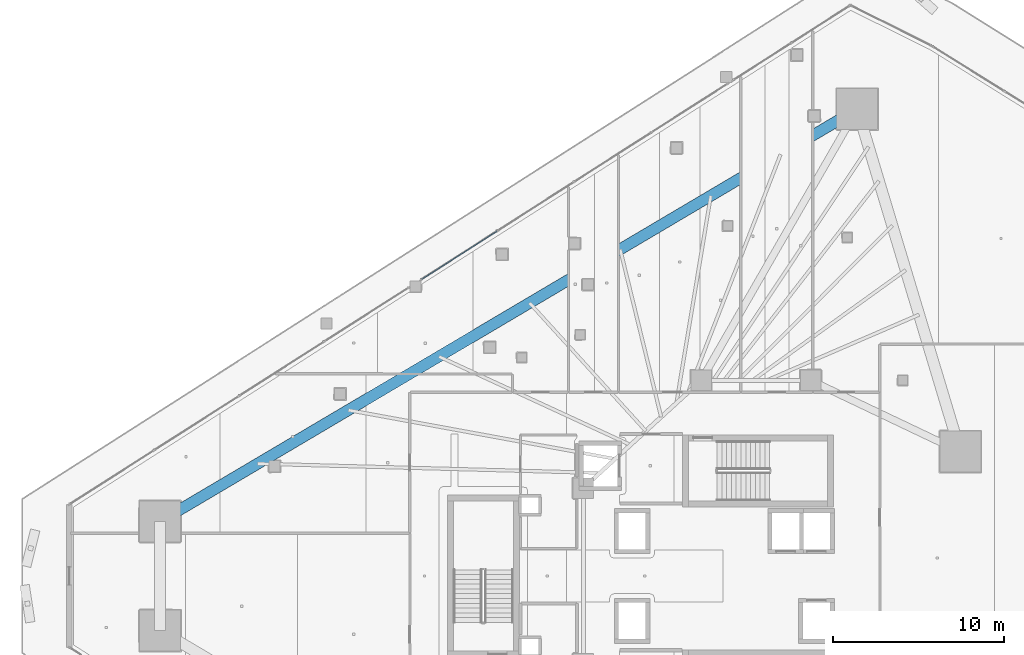
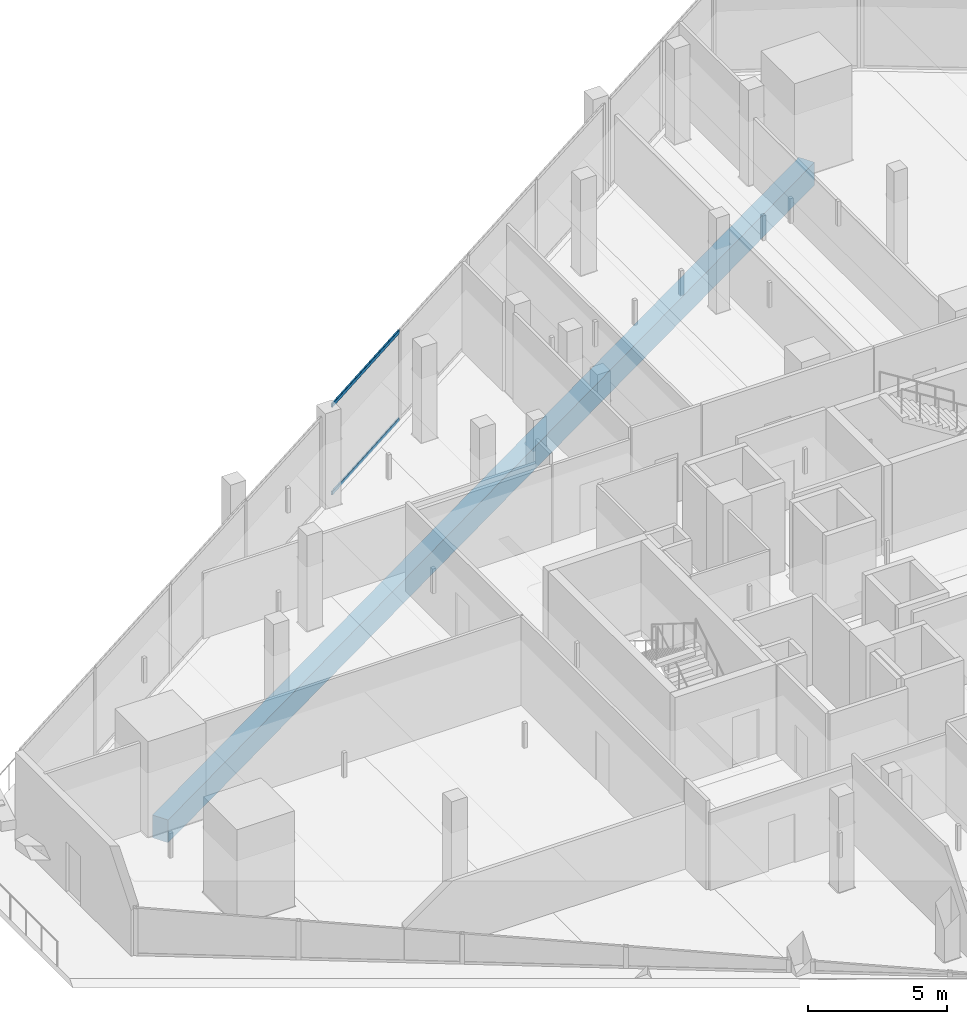
# One storey, part 17 of 44: 2 members, 1 beam, 1 element without a shape of its own.
"""IFC4 building model written with IfcOpenShell, lengths in metres."""

import ifcopenshell
import ifcopenshell.guid

model = None  # the IFC model being written
_history = None  # IfcOwnerHistory: only IFC2X3 demands one
_inside = {}  # id of a spatial element -> (the spatial element, [elements in it])
_under = {}  # id of a project, library or spatial element -> (it, [spatial elements below it])
_declared = {}  # id of a project -> (the project, [libraries it declares])
_typed = {}  # id of a type object -> (the type object, [elements of that type])
_made_of = {}  # id of a material, layer set ... -> (it, [elements and type objects made of it])


def new_model(schema):
    """Start an empty IFC model of exactly this schema.

    Asked for "IFC4X3", IfcOpenShell would pick the latest addendum, in which some entities
    have other attributes; the version numbers below select the first issue.
    IFC2X3 requires an IfcOwnerHistory on every rooted entity: one is made here for all.
    """
    global model, _history
    if schema == "IFC4X3":
        model = ifcopenshell.file(schema_version=(4, 3, 0, 0))
    else:
        model = ifcopenshell.file(schema=schema)
    _inside.clear()
    _under.clear()
    _declared.clear()
    _typed.clear()
    _made_of.clear()
    _history = None
    if model.schema == "IFC2X3":
        org = make("IfcOrganization", Name="unknown")
        user = make(
            "IfcPersonAndOrganization",
            ThePerson=make("IfcPerson", FamilyName="unknown"),
            TheOrganization=org,
        )
        app = make(
            "IfcApplication",
            ApplicationDeveloper=org,
            Version="unknown",
            ApplicationFullName="unknown",
            ApplicationIdentifier="unknown",
        )
        _history = make(
            "IfcOwnerHistory",
            OwningUser=user,
            OwningApplication=app,
            ChangeAction="ADDED",
            CreationDate=0,
        )
    return model


def make(cls, **values):
    """One entity of the class cls with the attributes given. An attribute that is None is left unset."""
    return model.create_entity(
        cls, **{name: value for name, value in values.items() if value is not None}
    )


def rooted(cls, **values):
    """An entity with a GlobalId (a new one), such as an element, a storey or a relation."""
    return make(cls, GlobalId=ifcopenshell.guid.new(), OwnerHistory=_history, **values)


def si_unit(unit_type, name, prefix=None):
    """IfcSIUnit, for example si_unit("LENGTHUNIT", "METRE", prefix="MILLI")."""
    return make("IfcSIUnit", UnitType=unit_type, Prefix=prefix, Name=name)


def assignment(units):
    """IfcUnitAssignment: the units of a project."""
    return None if units is None else make("IfcUnitAssignment", Units=units)


def point(xyz):
    """IfcCartesianPoint."""
    return None if xyz is None else make("IfcCartesianPoint", Coordinates=xyz)


def direction(xyz):
    """IfcDirection."""
    return None if xyz is None else make("IfcDirection", DirectionRatios=xyz)


def frame(location, z_axis=None, x_axis=None):
    """IfcAxis2Placement3D, a coordinate frame: its origin and axes. An axis left out is left unset."""
    return make(
        "IfcAxis2Placement3D",
        Location=point(location),
        Axis=direction(z_axis),
        RefDirection=direction(x_axis),
    )


def frame_2d(location, x_axis=None):
    """IfcAxis2Placement2D, a coordinate frame in the plane: its origin and x axis."""
    return make(
        "IfcAxis2Placement2D", Location=point(location), RefDirection=direction(x_axis)
    )


def origin():
    """The frame at (0, 0, 0) with its axes left unset."""
    return frame((0.0, 0.0, 0.0))


def origin_2d():
    """The frame at (0, 0) in the plane with its x axis left unset."""
    return frame_2d((0.0, 0.0))


def place(relative_to, where):
    """IfcLocalPlacement: puts the frame where relative to a parent placement (None: the world)."""
    return make(
        "IfcLocalPlacement", PlacementRelTo=relative_to, RelativePlacement=where
    )


def context(
    kind, dimensions, precision=None, world=None, true_north=None, identifier=None
):
    """IfcGeometricRepresentationContext, for example the 3D "Model" context."""
    return make(
        "IfcGeometricRepresentationContext",
        ContextIdentifier=identifier,
        ContextType=kind,
        CoordinateSpaceDimension=dimensions,
        Precision=precision,
        WorldCoordinateSystem=world,
        TrueNorth=true_north,
    )


def subcontext(parent, identifier, kind, view, scale=None):
    """IfcGeometricRepresentationSubContext, for example "Body" below "Model"."""
    return make(
        "IfcGeometricRepresentationSubContext",
        ContextIdentifier=identifier,
        ContextType=kind,
        ParentContext=parent,
        TargetScale=scale,
        TargetView=view,
    )


def project(units=None, contexts=None):
    """IfcProject with its units and contexts."""
    return rooted(
        "IfcProject",
        Name="project",
        RepresentationContexts=contexts,
        UnitsInContext=assignment(units),
    )


def spatial(cls, under=None, at=None, **own):
    """A site, building, storey or space (cls), placed at a placement, below another one or the project."""
    s = rooted(cls, ObjectPlacement=at, **own)
    if under is not None:
        _under.setdefault(under.id(), (under, []))[1].append(s)
    return s


def profile(cls, at=None, kind="AREA", **sizes):
    """A parametric profile (cls). Its sizes go by their IFC names, for example OverallWidth=200.0."""
    return make(cls, ProfileType=kind, Position=at, **sizes)


def rectangle(**sizes):
    """IfcRectangleProfileDef."""
    return profile("IfcRectangleProfileDef", **sizes)


def hollow_rectangle(**sizes):
    """IfcRectangleHollowProfileDef."""
    return profile("IfcRectangleHollowProfileDef", **sizes)


def extrude(swept, where, along, depth):
    """IfcExtrudedAreaSolid: the profile swept, set in the frame where, extruded along a direction by depth."""
    return make(
        "IfcExtrudedAreaSolid",
        SweptArea=swept,
        Position=where,
        ExtrudedDirection=direction(along),
        Depth=depth,
    )


def shape(context_of_items, identifier, shape_type, items):
    """IfcShapeRepresentation: the items that make up one representation, for example the "Body"."""
    return make(
        "IfcShapeRepresentation",
        ContextOfItems=context_of_items,
        RepresentationIdentifier=identifier,
        RepresentationType=shape_type,
        Items=items,
    )


def material(Name=None, Category=None):
    """IfcMaterial."""
    return make("IfcMaterial", Name=Name, Category=Category)


def layer(
    of_material, thickness, ventilated=None, Name=None, Category=None, Priority=None
):
    """IfcMaterialLayer: one layer of a wall or slab, of a material (None: an air gap)."""
    return make(
        "IfcMaterialLayer",
        Material=of_material,
        LayerThickness=thickness,
        IsVentilated=ventilated,
        Name=Name,
        Category=Category,
        Priority=Priority,
    )


def layer_set(layers, Name=None):
    """IfcMaterialLayerSet."""
    return make("IfcMaterialLayerSet", MaterialLayers=layers, LayerSetName=Name)


def material_profile(
    of_material, cross_section, Name=None, Category=None, Priority=None
):
    """IfcMaterialProfile: a cross section and its material."""
    return make(
        "IfcMaterialProfile",
        Name=Name,
        Material=of_material,
        Profile=cross_section,
        Priority=Priority,
        Category=Category,
    )


def profile_set(profiles, Name=None, composite=None):
    """IfcMaterialProfileSet."""
    return make(
        "IfcMaterialProfileSet",
        Name=Name,
        MaterialProfiles=profiles,
        CompositeProfile=composite,
    )


def made_of(thing, what):
    """Note that an element or type object is made of a material, layer set ...; save() writes the relation."""
    if what is not None:
        _made_of.setdefault(what.id(), (what, []))[1].append(thing)
    return thing


def type_object(cls, material=None, **own):
    """A type object (cls), such as IfcWallType, which elements share."""
    return made_of(rooted(cls, **own), material)


def element(
    cls,
    number,
    at=None,
    inside=None,
    cuts=None,
    type_object=None,
    material=None,
    context=None,
    identifier="Body",
    shape_type=None,
    held_by="IfcProductDefinitionShape",
    body=None,
    shapes=None,
    **own,
):
    """One element of the class cls, such as IfcWall. Its Tag is "e" and its number.

    at: its placement. inside: the storey or other place that contains it. cuts: it is an
    opening in that element (IfcRelVoidsElement). A single representation is given by context,
    identifier, shape_type and body (its items); several are given by shapes. held_by: the class
    of the entity that holds the representations. save() writes the other relations.
    """
    e = rooted(cls, Tag="e%d" % number, ObjectPlacement=at, **own)
    if body is not None:
        shapes = [shape(context, identifier, shape_type, body)]
    if shapes is not None:
        e.Representation = make(held_by, Representations=shapes)
    if inside is not None:
        _inside.setdefault(inside.id(), (inside, []))[1].append(e)
    if cuts is not None:
        rooted(
            "IfcRelVoidsElement", RelatingBuildingElement=cuts, RelatedOpeningElement=e
        )
    if type_object is not None:
        _typed.setdefault(type_object.id(), (type_object, []))[1].append(e)
    return made_of(e, material)


def aggregate(whole, parts):
    """IfcRelAggregates: a whole, such as a stair, and the parts it consists of."""
    return rooted("IfcRelAggregates", RelatingObject=whole, RelatedObjects=parts)


def save(model, path):
    """Write the relations noted so far, then the file.

    IfcRelAggregates (storeys below a building ...), IfcRelContainedInSpatialStructure (elements
    in a storey), IfcRelDefinesByType, IfcRelAssociatesMaterial and IfcRelDeclares: one each for
    every whole, place, type object, material and project.
    """
    for whole, parts in _under.values():
        aggregate(whole, parts)
    for where, things in _inside.values():
        rooted(
            "IfcRelContainedInSpatialStructure",
            RelatedElements=things,
            RelatingStructure=where,
        )
    for kind, things in _typed.values():
        rooted("IfcRelDefinesByType", RelatedObjects=things, RelatingType=kind)
    for what, things in _made_of.values():
        rooted("IfcRelAssociatesMaterial", RelatedObjects=things, RelatingMaterial=what)
    for by, libraries in _declared.values():
        rooted("IfcRelDeclares", RelatingContext=by, RelatedDefinitions=libraries)
    model.write(path)


model = new_model("IFC4")

# Units and contexts
model_context = context("Model", 3, precision=1e-05, world=origin(), true_north=direction((0.0, 1.0)))
body_context = subcontext(model_context, "Body", "Model", "MODEL_VIEW")
ifc_project = project(units=[si_unit("LENGTHUNIT", "METRE"), si_unit("AREAUNIT", "SQUARE_METRE"), si_unit("VOLUMEUNIT", "CUBIC_METRE"), si_unit("PLANEANGLEUNIT", "RADIAN"), si_unit("MASSUNIT", "GRAM", prefix="KILO")], contexts=[model_context])

# Site, building, storey
site_placement = place(None, origin())
site = spatial("IfcSite", under=ifc_project, at=site_placement, CompositionType="ELEMENT")
building_placement = place(site_placement, origin())
building = spatial("IfcBuilding", under=site, at=building_placement, Name="Qorvath Tower", CompositionType="ELEMENT")
storey_placement = place(building_placement, frame((0.0, 0.0, 45.0)))
storey = spatial("IfcBuildingStorey", under=building, at=storey_placement, Name="L09", CompositionType="ELEMENT", Elevation=45.0)

# Beam
ifc_material_1 = material(Name="Concrete C50/60", Category="concrete")
ifc_material_profile_1 = material_profile(ifc_material_1, rectangle(XDim=0.64990234375, YDim=1.0, at=origin_2d()), Name="RCB 1000x650")
ifc_profile_set_1 = profile_set([ifc_material_profile_1], Name="Concrete C50/60")
beam_type = type_object("IfcBeamType", Name="BM-RCB1", PredefinedType="SPANDREL", material=ifc_profile_set_1)
beam_placement = place(storey_placement, frame((-14.46435546875, 27.330810546875, -0.780029296875), z_axis=(-0.860777360917, -0.508981664633, 0.0), x_axis=(0.508981664633, -0.860777360917, 0.0)))
element("IfcBeam", 1, at=beam_placement, inside=storey, type_object=beam_type, Name="Perimeter Loggia Frame Beam MC6-MC1 L09", PredefinedType="SPANDREL", context=body_context, shape_type="SweptSolid", body=[
    extrude(rectangle(XDim=0.64990234375, YDim=1.0, at=origin_2d()), origin(), (0.0, 0.0, 1.0), 47.420654296875),
])

# Curtain wall, members
ifc_material_2 = material(Name="Anodised aluminium and triple low-E glass", Category="aluminium")
ifc_layer = layer(ifc_material_2, 0.179931640625)
ifc_layer_set = layer_set([ifc_layer], Name="CW-SYS-2")
curtain_wall_type = type_object("IfcCurtainWallType", Name="CW-SYS-2", PredefinedType="NOTDEFINED", material=ifc_layer_set)
curtain_wall_placement = place(storey_placement, origin())
curtain_wall = element("IfcCurtainWall", 2, at=curtain_wall_placement, inside=storey, type_object=curtain_wall_type, Name="Curtain Wall CW-2 CW-T-L09-16.2", PredefinedType="NOTDEFINED")
ifc_material_3 = material(Name="Anodised aluminium 6063-T6", Category="aluminium")
ifc_material_profile_2 = material_profile(ifc_material_3, hollow_rectangle(XDim=0.06494140625, YDim=0.159912109375, WallThickness=0.00341796875, InnerFilletRadius=0.00341796875, OuterFilletRadius=0.007080078125, at=origin_2d()), Name="CWT 160x65")
ifc_profile_set_2 = profile_set([ifc_material_profile_2], Name="Anodised aluminium 6063-T6")
member_type = type_object("IfcMemberType", Name="CWT-160", PredefinedType="USERDEFINED", material=ifc_profile_set_2)
member_1_placement = place(storey_placement, frame((-35.5517578125, 20.185791015625, 0.032470703125), z_axis=(-0.842592429827, -0.53855175907, 0.0), x_axis=(0.53855175907, -0.842592429827, 0.0)))
member_1 = element("IfcMember", 3, at=member_1_placement, type_object=member_type, Name="CW-2 transom 4.1", ObjectType="TRANSOM", PredefinedType="USERDEFINED", context=body_context, shape_type="SweptSolid", body=[
    extrude(hollow_rectangle(XDim=0.06494140625, YDim=0.159912109375, WallThickness=0.00341796875, InnerFilletRadius=0.00341796875, OuterFilletRadius=0.007080078125, at=origin_2d()), origin(), (0.0, 0.0, 1.0), 5.245849609375),
])
member_2_placement = place(storey_placement, frame((-35.5517578125, 20.185791015625, 3.887451171875), z_axis=(-0.842592429827, -0.53855175907, 0.0), x_axis=(0.53855175907, -0.842592429827, 0.0)))
member_2 = element("IfcMember", 4, at=member_2_placement, type_object=member_type, Name="CW-2 transom 4.2", ObjectType="TRANSOM", PredefinedType="USERDEFINED", context=body_context, shape_type="SweptSolid", body=[
    extrude(hollow_rectangle(XDim=0.06494140625, YDim=0.159912109375, WallThickness=0.00341796875, InnerFilletRadius=0.00341796875, OuterFilletRadius=0.007080078125, at=origin_2d()), origin(), (0.0, 0.0, 1.0), 5.245849609375),
])
aggregate(curtain_wall, [member_1, member_2])

save(model, "model.ifc")
